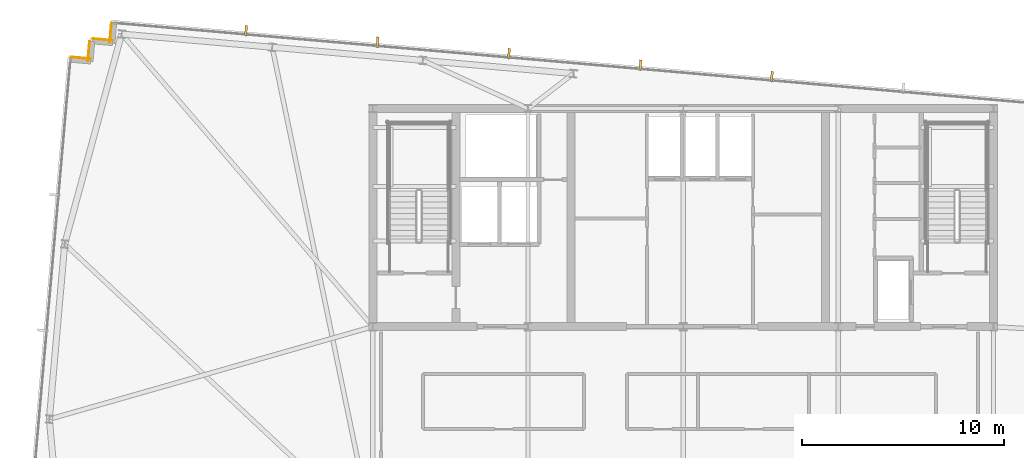
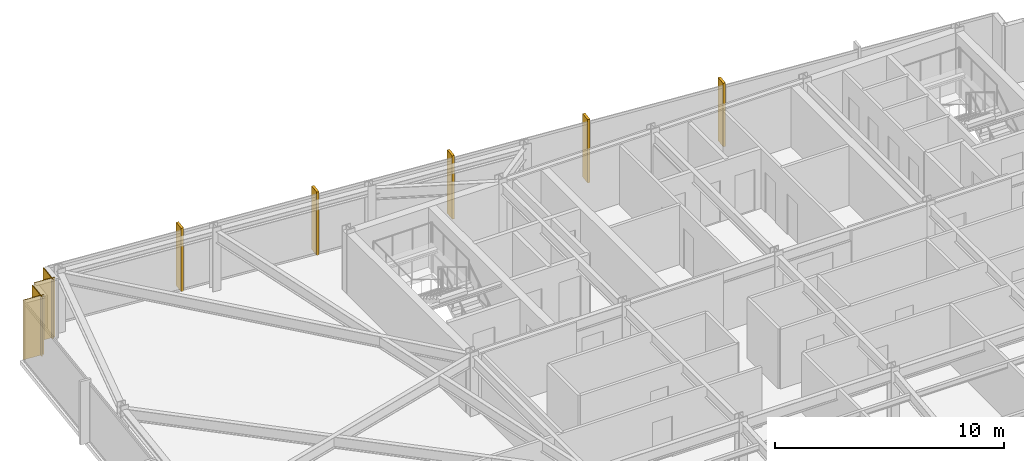
# One storey, part 32 of 32: 5 shading devices, 4 coverings.
"""IFC4 building model written with IfcOpenShell, lengths in metres."""

from ifc_helpers import new_model, si_unit, direction, frame, frame_2d, origin, origin_2d, place, context, subcontext, project, spatial, rectangle, extrude, material, layer, layer_set, type_object, element, save


model = new_model("IFC4")

# Units and contexts
model_context = context("Model", 3, precision=1e-05, world=origin(), true_north=direction((0.0, 1.0)))
body_context = subcontext(model_context, "Body", "Model", "MODEL_VIEW")
ifc_project = project(units=[si_unit("LENGTHUNIT", "METRE"), si_unit("AREAUNIT", "SQUARE_METRE"), si_unit("VOLUMEUNIT", "CUBIC_METRE"), si_unit("PLANEANGLEUNIT", "RADIAN"), si_unit("MASSUNIT", "GRAM", prefix="KILO")], contexts=[model_context])

# Site, building, storey
site_placement = place(None, origin())
site = spatial("IfcSite", under=ifc_project, at=site_placement, CompositionType="ELEMENT")
building_placement = place(site_placement, origin())
building = spatial("IfcBuilding", under=site, at=building_placement, Name="Yelkora Congress Tower", CompositionType="ELEMENT")
storey_placement = place(building_placement, frame((0.0, 0.0, 272.699951171875)))
storey = spatial("IfcBuildingStorey", under=building, at=storey_placement, Name="L76", CompositionType="ELEMENT", Elevation=272.699951171875)

# Coverings
ifc_material_1 = material(Name="Anatolian bush-hammered limestone", Category="masonry")
ifc_layer_1 = layer(ifc_material_1, 0.0400390625)
ifc_layer_set_1 = layer_set([ifc_layer_1], Name="Anatolian bush-hammered limestone")
covering_type = type_object("IfcCoveringType", Name="COV-CLAD-SPANDREL-40", PredefinedType="CLADDING", material=ifc_layer_set_1)
for number, where, z_axis, x_axis, name in (
    (1, (8.0849609375, 48.744140625, 0.0), (0.0, 0.0, 1.0), (0.996195572005, -0.087145753297, 0.0), "L76 Anatolian Limestone Cladding EW-L76-SR06"),
    (2, (8.93505859375, 48.5341796875, 0.0), (0.0, 0.0, 1.0), (0.087145753297, 0.996195572005, 0.0), "L76 Anatolian Limestone Cladding EW-L76-SR07"),
):
    element("IfcCovering", number, at=place(storey_placement, frame(where, z_axis=z_axis, x_axis=x_axis)), inside=storey, type_object=covering_type, Name=name, PredefinedType="CLADDING", context=body_context, shape_type="SweptSolid", body=[
        extrude(rectangle(XDim=1.000244140625, YDim=0.0400390625, at=frame_2d((0.5, 0.0))), origin(), (0.0, 0.0, 1.0), 3.179931640625),
    ])
covering_1_placement = place(storey_placement, frame((9.16845703125, 49.6533203125, 0.0), z_axis=(0.0, 0.0, 1.0), x_axis=(0.996193717496, -0.087166950281, 0.0)))
element("IfcCovering", 3, at=covering_1_placement, inside=storey, type_object=covering_type, Name="L76 Anatolian Limestone Cladding EW-L76-SR08", PredefinedType="CLADDING", context=body_context, shape_type="SweptSolid", body=[
    extrude(rectangle(XDim=1.0, YDim=0.0400390625, at=frame_2d((0.5, 0.0))), origin(), (0.0, 0.0, 1.0), 3.179931640625),
])
covering_2_placement = place(storey_placement, frame((10.018310546875, 49.443359375, 0.0), z_axis=(0.0, 0.0, 1.0), x_axis=(0.087145753297, 0.996195572005, 0.0)))
element("IfcCovering", 4, at=covering_2_placement, inside=storey, type_object=covering_type, Name="L76 Anatolian Limestone Cladding EW-L76-SR09", PredefinedType="CLADDING", context=body_context, shape_type="SweptSolid", body=[
    extrude(rectangle(XDim=1.000244140625, YDim=0.0400390625, at=frame_2d((0.5, 0.0))), origin(), (0.0, 0.0, 1.0), 3.179931640625),
])

# Shading devices
ifc_material_2 = material(Name="Champagne anodised aluminium", Category="aluminium")
ifc_layer_2 = layer(ifc_material_2, 3.300048828125)
ifc_layer_set_2 = layer_set([ifc_layer_2], Name="Champagne anodised aluminium")
shading_device_type = type_object("IfcShadingDeviceType", Name="SHD-FIN-ALU-520", PredefinedType="USERDEFINED", material=ifc_layer_set_2)
for number, where, z_axis, x_axis, name in (
    (5, (16.763916015625, 50.057861328125, -0.02978515625), (0.0, 0.0, 1.0), (0.996194698092, -0.087155742748, 0.0), "L76 Vertical Anodised Solar Fin 10-1"),
    (6, (23.2705078125, 49.488525390625, -0.02978515625), (0.0, 0.0, 1.0), (0.996194698092, -0.087155742748, 0.0), "L76 Vertical Anodised Solar Fin 10-2"),
    (7, (29.777099609375, 48.919189453125, -0.02978515625), (0.0, 0.0, 1.0), (0.996194698092, -0.087155742748, 0.0), "L76 Vertical Anodised Solar Fin 10-3"),
    (8, (36.28369140625, 48.35009765625, -0.02978515625), (0.0, 0.0, 1.0), (0.996194698092, -0.087155742748, 0.0), "L76 Vertical Anodised Solar Fin 10-4"),
    (9, (42.790283203125, 47.78076171875, -0.02978515625), (0.0, 0.0, 1.0), (0.996194698092, -0.087155742748, 0.0), "L76 Vertical Anodised Solar Fin 10-5"),
):
    element("IfcShadingDevice", number, at=place(storey_placement, frame(where, z_axis=z_axis, x_axis=x_axis)), inside=storey, type_object=shading_device_type, Name=name, ObjectType="FIN", PredefinedType="USERDEFINED", context=body_context, shape_type="SweptSolid", body=[
        extrude(rectangle(XDim=0.1201171875, YDim=0.52001953125, at=origin_2d()), origin(), (0.0, 0.0, 1.0), 3.3798828125),
    ])

save(model, "model.ifc")
